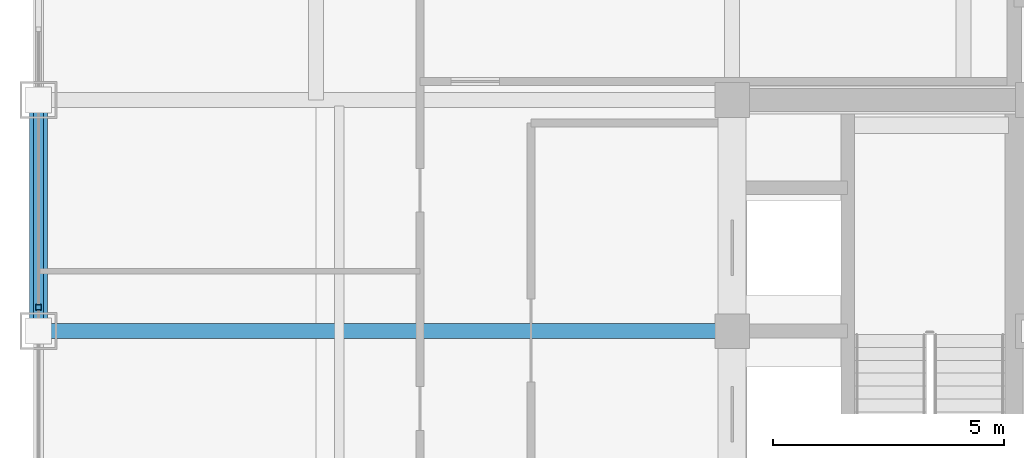
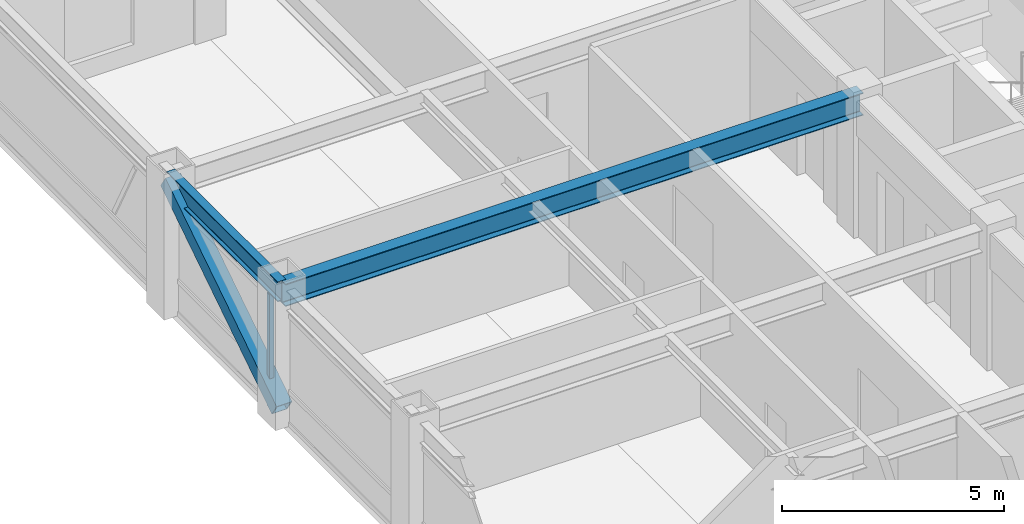
# One storey, part 15 of 29: 2 beams, 2 members, 1 element without a shape of its own.
"""IFC4 building model written with IfcOpenShell, lengths in metres."""

from ifc_helpers import new_model, si_unit, direction, frame, origin, origin_2d, place, context, subcontext, project, spatial, hollow_rectangle, i_section, extrude, source, transform, mapped, material, material_profile, profile_set, type_object, element, aggregate, save


model = new_model("IFC4")

# Units and contexts
model_context = context("Model", 3, precision=1e-05, world=origin(), true_north=direction((0.0, 1.0)))
body_context = subcontext(model_context, "Body", "Model", "MODEL_VIEW")
ifc_project = project(units=[si_unit("LENGTHUNIT", "METRE"), si_unit("AREAUNIT", "SQUARE_METRE"), si_unit("VOLUMEUNIT", "CUBIC_METRE"), si_unit("PLANEANGLEUNIT", "RADIAN"), si_unit("MASSUNIT", "GRAM", prefix="KILO")], contexts=[model_context])

# Site, building, storey
site_placement = place(None, origin())
site = spatial("IfcSite", under=ifc_project, at=site_placement, CompositionType="ELEMENT")
building_placement = place(site_placement, origin())
building = spatial("IfcBuilding", under=site, at=building_placement, Name="Khorayat Bourse Tower", CompositionType="ELEMENT")
storey_placement = place(building_placement, frame((0.0, 0.0, 354.300048828125)))
storey = spatial("IfcBuildingStorey", under=building, at=storey_placement, Name="L84", CompositionType="ELEMENT", Elevation=354.300048828125)

# Beams
ifc_material_1 = material(Name="Steel ASTM A992 Grade 50", Category="steel")
ifc_material_profile_1 = material_profile(ifc_material_1, i_section(OverallWidth=0.214111328125, OverallDepth=0.549072265625, WebThickness=0.0146484375, FlangeThickness=0.023681640625, FilletRadius=0.013916015625, at=origin_2d()), Name="W530X138")
ifc_profile_set_1 = profile_set([ifc_material_profile_1], Name="Steel ASTM A992 Grade 50")
beam_type_1 = type_object("IfcBeamType", Name="BM-SPAN-530", PredefinedType="SPANDREL", material=ifc_profile_set_1)
shared_shape_1 = source(origin(), body_context, "Body", "SweptSolid", [
    extrude(i_section(OverallWidth=0.214111328125, OverallDepth=0.549072265625, WebThickness=0.0146484375, FlangeThickness=0.023681640625, FilletRadius=0.013916015625, at=origin_2d()), origin(), (0.0, 0.0, 1.0), 5.0),
])
beam_1_placement = place(storey_placement, frame((-26.0, 6.0, 3.46533203125), z_axis=(0.0, 1.0, 0.0), x_axis=(-1.0, 0.0, 0.0)))
element("IfcBeam", 1, at=beam_1_placement, inside=storey, type_object=beam_type_1, Name="L84 BM-SPAN-530 BM-L84-SPN-049", PredefinedType="SPANDREL", context=body_context, shape_type="MappedRepresentation", body=[
    mapped(shared_shape_1, transform((0.0, 0.0, 0.0), scale=1.0)),
])
ifc_material_profile_2 = material_profile(ifc_material_1, i_section(OverallWidth=0.324951171875, OverallDepth=0.615966796875, WebThickness=0.013916015625, FlangeThickness=0.021484375, FilletRadius=0.01611328125, at=origin_2d()), Name="W610X174")
ifc_profile_set_2 = profile_set([ifc_material_profile_2], Name="Steel ASTM A992 Grade 50")
beam_type_2 = type_object("IfcBeamType", Name="BM-GIRD-610", PredefinedType="BEAM", material=ifc_profile_set_2)
shared_shape_2 = source(origin(), body_context, "Body", "SweptSolid", [
    extrude(i_section(OverallWidth=0.324951171875, OverallDepth=0.615966796875, WebThickness=0.013916015625, FlangeThickness=0.021484375, FilletRadius=0.01611328125, at=origin_2d()), origin(), (0.0, 0.0, 1.0), 15.0),
])
beam_2_placement = place(storey_placement, frame((-26.0, 6.0, 3.431884765625), z_axis=(1.0, 0.0, 0.0), x_axis=(0.0, 1.0, 0.0)))
element("IfcBeam", 2, at=beam_2_placement, inside=storey, type_object=beam_type_2, Name="L84 BM-GIRD-610 BM-L84-RADX-073", PredefinedType="BEAM", context=body_context, shape_type="MappedRepresentation", body=[
    mapped(shared_shape_2, transform((0.0, 0.0, 0.0), scale=1.0)),
])

# Member
ifc_material_2 = material(Name="Steel EN 10025-4 S460M", Category="steel")
ifc_material_profile_3 = material_profile(ifc_material_2, hollow_rectangle(XDim=0.39990234375, YDim=0.39990234375, WallThickness=0.02197265625, at=origin_2d()), Name="HSS 400x400x22")
ifc_profile_set_3 = profile_set([ifc_material_profile_3], Name="Steel EN 10025-4 S460M")
member_type_1 = type_object("IfcMemberType", Name="MBR-TUBE-400", PredefinedType="BRACE", material=ifc_profile_set_3)
shared_shape_3 = source(origin(), body_context, "Body", "SweptSolid", [
    extrude(hollow_rectangle(XDim=0.39990234375, YDim=0.39990234375, WallThickness=0.02197265625, at=origin_2d()), origin(), (0.0, 0.0, 1.0), 5.9580078125),
])
member_1_placement = place(storey_placement, frame((-26.0, 6.0, 0.25), z_axis=(0.0, 0.839210474455, 0.543806748364), x_axis=(-1.0, 0.0, 0.0)))
element("IfcMember", 3, at=member_1_placement, inside=storey, type_object=member_type_1, Name="L84 Perimeter Tube Brace 06", PredefinedType="BRACE", context=body_context, shape_type="MappedRepresentation", body=[
    mapped(shared_shape_3, transform((0.0, 0.0, 0.0), scale=1.0)),
])

# Curtain wall, member
ifc_material_3 = material(Name="Aluminium EN AW-6063 T6", Category="aluminium")
curtain_wall_type = type_object("IfcCurtainWallType", Name="CW-SYS-06", PredefinedType="NOTDEFINED", material=ifc_material_3)
curtain_wall_placement = place(storey_placement, origin())
curtain_wall = element("IfcCurtainWall", 4, at=curtain_wall_placement, inside=storey, type_object=curtain_wall_type, Name="L84 Curtain Wall CW-L84-W1", PredefinedType="NOTDEFINED")
ifc_material_profile_4 = material_profile(ifc_material_3, hollow_rectangle(XDim=0.1201171875, YDim=0.1201171875, WallThickness=0.0048828125, at=origin_2d()), Name="ALU 120x120x5")
ifc_profile_set_4 = profile_set([ifc_material_profile_4], Name="Aluminium EN AW-6063 T6")
member_type_2 = type_object("IfcMemberType", Name="CWM-VERT-120", PredefinedType="MULLION", material=ifc_profile_set_4)
shared_shape_4 = source(origin(), body_context, "Body", "SweptSolid", [
    extrude(hollow_rectangle(XDim=0.1201171875, YDim=0.1201171875, WallThickness=0.0048828125, at=origin_2d()), origin(), (0.0, 0.0, 1.0), 3.08984375),
])
member_2_placement = place(storey_placement, frame((-26.0, 6.5166015625, 0.0), z_axis=(0.0, 0.0, 1.0), x_axis=(1.0, 0.0, 0.0)))
member_2 = element("IfcMember", 5, at=member_2_placement, type_object=member_type_2, Name="CW-L84-W1 Vertical Mullion 2", PredefinedType="MULLION", context=body_context, shape_type="MappedRepresentation", body=[
    mapped(shared_shape_4, transform((0.0, 0.0, 0.0), scale=1.0)),
])
aggregate(curtain_wall, [member_2])

save(model, "model.ifc")
